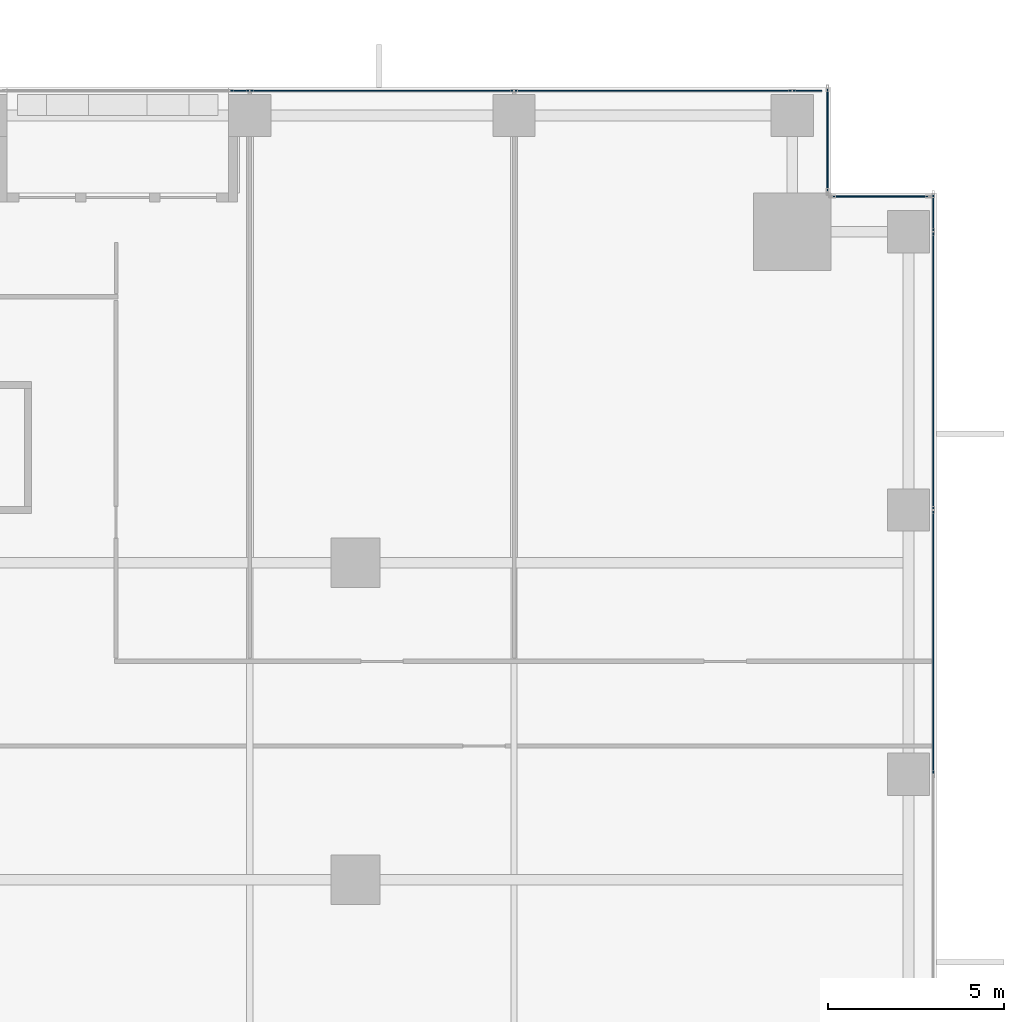
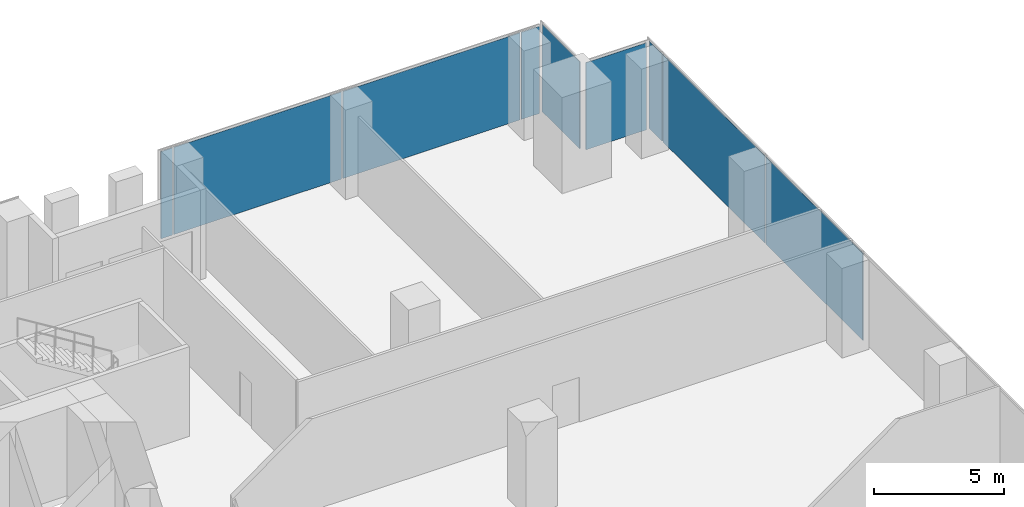
# One storey, part 26 of 33: 9 plates, 4 elements without a shape of their own.
"""IFC4 building model written with IfcOpenShell, lengths in metres."""

from ifc_helpers import new_model, si_unit, direction, frame, origin, origin_2d, place, context, subcontext, project, spatial, rectangle, extrude, source, transform, mapped, material, layer, layer_set, type_object, element, aggregate, save


model = new_model("IFC4")

# Units and contexts
model_context = context("Model", 3, precision=1e-05, world=origin(), true_north=direction((0.0, 1.0)))
body_context = subcontext(model_context, "Body", "Model", "MODEL_VIEW")
ifc_project = project(units=[si_unit("LENGTHUNIT", "METRE"), si_unit("AREAUNIT", "SQUARE_METRE"), si_unit("VOLUMEUNIT", "CUBIC_METRE"), si_unit("PLANEANGLEUNIT", "RADIAN"), si_unit("MASSUNIT", "GRAM", prefix="KILO")], contexts=[model_context])

# Site, building, storey
site_placement = place(None, origin())
site = spatial("IfcSite", under=ifc_project, at=site_placement, CompositionType="ELEMENT")
building_placement = place(site_placement, origin())
building = spatial("IfcBuilding", under=site, at=building_placement, Name="Khomas Fold Tower", CompositionType="ELEMENT")
storey_placement = place(building_placement, frame((0.0, 0.0, 55.5)))
storey = spatial("IfcBuildingStorey", under=building, at=storey_placement, Name="L11", CompositionType="ELEMENT", Elevation=55.5)

# Curtain wall, plate
ifc_material_1 = material(Name="Aluminium framed double glazing", Category="aluminium")
curtain_wall_type = type_object("IfcCurtainWallType", Name="SK-Unitised clear-glass wall, growing floors CW1", PredefinedType="NOTDEFINED", material=ifc_material_1)
curtain_wall_1_placement = place(storey_placement, origin())
curtain_wall_1 = element("IfcCurtainWall", 1, at=curtain_wall_1_placement, inside=storey, type_object=curtain_wall_type, Name="CW1 run L11 06-0", PredefinedType="NOTDEFINED")
ifc_material_2 = material(Name="Clear double glazed unit")
ifc_layer = layer(ifc_material_2, 0.031982421875)
ifc_layer_set = layer_set([ifc_layer], Name="Clear double glazed unit")
plate_type = type_object("IfcPlateType", Name="SK-Unitised clear-glass wall, growing floors glass panel CW1-P", PredefinedType="CURTAIN_PANEL", material=ifc_layer_set)
shared_shape_1 = source(origin(), body_context, "Body", "SweptSolid", [
    extrude(rectangle(XDim=0.81005859375, YDim=0.031982421875, at=origin_2d()), origin(), (0.0, 0.0, 1.0), 4.080078125),
])
plate_1_placement = place(storey_placement, frame((50.3349609375, 53.89990234375, 0.0), z_axis=(0.0, 0.0, 1.0), x_axis=(-1.0, 0.0, 0.0)))
plate_1 = element("IfcPlate", 2, at=plate_1_placement, type_object=plate_type, Name="CW1 glass panel 1", PredefinedType="CURTAIN_PANEL", context=body_context, shape_type="MappedRepresentation", body=[
    mapped(shared_shape_1, transform((0.0, 0.0, 0.0))),
])

curtain_wall_2_placement = place(storey_placement, origin())
curtain_wall_2 = element("IfcCurtainWall", 3, at=curtain_wall_2_placement, inside=storey, type_object=curtain_wall_type, Name="CW1 run L11 03-0", PredefinedType="NOTDEFINED")
shared_shape_2 = source(origin(), body_context, "Body", "SweptSolid", [
    extrude(rectangle(XDim=7.840087890625, YDim=0.031982421875, at=origin_2d()), origin(), (0.0, 0.0, 1.0), 4.080078125),
])
plate_2_placement = place(storey_placement, frame((53.89990234375, 45.949951171875, 0.0), z_axis=(0.0, 0.0, 1.0), x_axis=(0.0, 1.0, 0.0)))
plate_2 = element("IfcPlate", 4, at=plate_2_placement, type_object=plate_type, Name="CW1 glass panel 7", PredefinedType="CURTAIN_PANEL", context=body_context, shape_type="MappedRepresentation", body=[
    mapped(shared_shape_2, transform((0.0, 0.0, 0.0))),
])

# Plate
plate_3_placement = place(storey_placement, frame((45.949951171875, 53.89990234375, 0.0), z_axis=(0.0, 0.0, 1.0), x_axis=(-1.0, 0.0, 0.0)))
plate_3 = element("IfcPlate", 5, at=plate_3_placement, type_object=plate_type, Name="CW1 glass panel 2", PredefinedType="CURTAIN_PANEL", context=body_context, shape_type="MappedRepresentation", body=[
    mapped(shared_shape_2, transform((0.0, 0.0, 0.0))),
])

shared_shape_3 = source(origin(), body_context, "Body", "SweptSolid", [
    extrude(rectangle(XDim=7.43994140625, YDim=0.031982421875, at=origin_2d()), origin(), (0.0, 0.0, 1.0), 4.080078125),
])
plate_4_placement = place(storey_placement, frame((53.89990234375, 38.25, 0.0), z_axis=(0.0, 0.0, 1.0), x_axis=(0.0, 1.0, 0.0)))
plate_4 = element("IfcPlate", 6, at=plate_4_placement, type_object=plate_type, Name="CW1 glass panel 6", PredefinedType="CURTAIN_PANEL", context=body_context, shape_type="MappedRepresentation", body=[
    mapped(shared_shape_3, transform((0.0, 0.0, 0.0))),
])

plate_5_placement = place(storey_placement, frame((38.25, 53.89990234375, 0.0), z_axis=(0.0, 0.0, 1.0), x_axis=(-1.0, 0.0, 0.0)))
plate_5 = element("IfcPlate", 7, at=plate_5_placement, type_object=plate_type, Name="CW1 glass panel 3", PredefinedType="CURTAIN_PANEL", context=body_context, shape_type="MappedRepresentation", body=[
    mapped(shared_shape_3, transform((0.0, 0.0, 0.0))),
])

shared_shape_4 = source(origin(), body_context, "Body", "SweptSolid", [
    extrude(rectangle(XDim=1.010009765625, YDim=0.031982421875, at=origin_2d()), origin(), (0.0, 0.0, 1.0), 4.080078125),
])
plate_6_placement = place(storey_placement, frame((53.89990234375, 50.43505859375, 0.0), z_axis=(0.0, 0.0, 1.0), x_axis=(0.0, 1.0, 0.0)))
plate_6 = element("IfcPlate", 8, at=plate_6_placement, type_object=plate_type, Name="CW1 glass panel 8", PredefinedType="CURTAIN_PANEL", context=body_context, shape_type="MappedRepresentation", body=[
    mapped(shared_shape_4, transform((0.0, 0.0, 0.0))),
])

aggregate(curtain_wall_2, [plate_4, plate_2, plate_6])

# Curtain wall, plate
curtain_wall_3_placement = place(storey_placement, origin())
curtain_wall_3 = element("IfcCurtainWall", 9, at=curtain_wall_3_placement, inside=storey, type_object=curtain_wall_type, Name="CW1 corner return L11 04", PredefinedType="NOTDEFINED")
shared_shape_5 = source(origin(), body_context, "Body", "SweptSolid", [
    extrude(rectangle(XDim=2.679931640625, YDim=0.031982421875, at=origin_2d()), origin(), (0.0, 0.0, 1.0), 4.080078125),
])
plate_7_placement = place(storey_placement, frame((52.39990234375, 50.89990234375, 0.0), z_axis=(0.0, 0.0, 1.0), x_axis=(-1.0, 0.0, 0.0)))
plate_7 = element("IfcPlate", 10, at=plate_7_placement, type_object=plate_type, Name="CW1 glass panel 1", PredefinedType="CURTAIN_PANEL", context=body_context, shape_type="MappedRepresentation", body=[
    mapped(shared_shape_5, transform((0.0, 0.0, 0.0))),
])
aggregate(curtain_wall_3, [plate_7])

curtain_wall_4_placement = place(storey_placement, origin())
curtain_wall_4 = element("IfcCurtainWall", 11, at=curtain_wall_4_placement, inside=storey, type_object=curtain_wall_type, Name="CW1 corner return L11 05", PredefinedType="NOTDEFINED")
shared_shape_6 = source(origin(), body_context, "Body", "SweptSolid", [
    extrude(rectangle(XDim=2.8798828125, YDim=0.031982421875, at=origin_2d()), origin(), (0.0, 0.0, 1.0), 4.080078125),
])
plate_8_placement = place(storey_placement, frame((50.89990234375, 52.5, 0.0), z_axis=(0.0, 0.0, 1.0), x_axis=(0.0, 1.0, 0.0)))
plate_8 = element("IfcPlate", 12, at=plate_8_placement, type_object=plate_type, Name="CW1 glass panel 1", PredefinedType="CURTAIN_PANEL", context=body_context, shape_type="MappedRepresentation", body=[
    mapped(shared_shape_6, transform((0.0, 0.0, 0.0))),
])
aggregate(curtain_wall_4, [plate_8])

# Plate
shared_shape_7 = source(origin(), body_context, "Body", "SweptSolid", [
    extrude(rectangle(XDim=0.510009765625, YDim=0.031982421875, at=origin_2d()), origin(), (0.0, 0.0, 1.0), 4.080078125),
])
plate_9_placement = place(storey_placement, frame((34.215087890625, 53.89990234375, 0.0), z_axis=(0.0, 0.0, 1.0), x_axis=(-1.0, 0.0, 0.0)))
plate_9 = element("IfcPlate", 13, at=plate_9_placement, type_object=plate_type, Name="CW1 glass panel 4", PredefinedType="CURTAIN_PANEL", context=body_context, shape_type="MappedRepresentation", body=[
    mapped(shared_shape_7, transform((0.0, 0.0, 0.0))),
])

aggregate(curtain_wall_1, [plate_1, plate_3, plate_5, plate_9])

save(model, "model.ifc")
